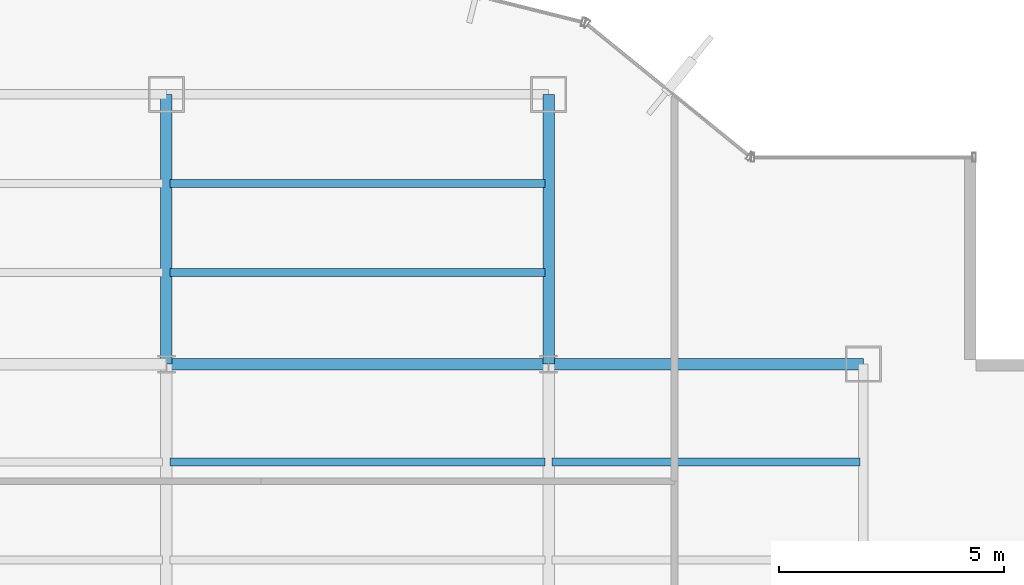
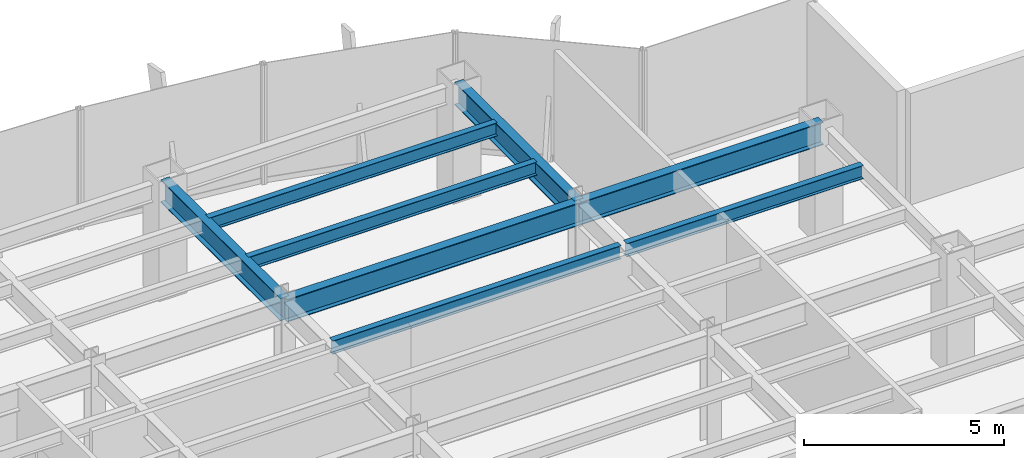
# One storey, part 17 of 26: 8 beams.
"""IFC4 building model written with IfcOpenShell, lengths in metres."""

from ifc_helpers import new_model, si_unit, derived_unit, direction, frame, origin, origin_2d, place, context, subcontext, project, spatial, i_section, extrude, source, transform, mapped, material, material_profile, profile_set, type_object, element, save


model = new_model("IFC4")

# Units and contexts
model_context = context("Model", 3, precision=1e-05, world=origin(), true_north=direction((0.0, 1.0)))
body_context = subcontext(model_context, "Body", "Model", "MODEL_VIEW")
ifc_project = project(units=[si_unit("LENGTHUNIT", "METRE"), si_unit("AREAUNIT", "SQUARE_METRE"), si_unit("VOLUMEUNIT", "CUBIC_METRE"), si_unit("PLANEANGLEUNIT", "RADIAN"), si_unit("MASSUNIT", "GRAM", prefix="KILO"), derived_unit("THERMALTRANSMITTANCEUNIT", [(si_unit("POWERUNIT", "WATT"), 1), (si_unit("LENGTHUNIT", "METRE"), -2), (si_unit("THERMODYNAMICTEMPERATUREUNIT", "KELVIN"), -1)])], contexts=[model_context])

# Site, building, storey
site_placement = place(None, origin())
site = spatial("IfcSite", under=ifc_project, at=site_placement, CompositionType="ELEMENT")
building_placement = place(site_placement, origin())
building = spatial("IfcBuilding", under=site, at=building_placement, Name="Skarnbrae Concourse Arena and Tower", CompositionType="ELEMENT")
storey_placement = place(building_placement, frame((0.0, 0.0, 95.949951171875)))
storey = spatial("IfcBuildingStorey", under=building, at=storey_placement, Name="L23", CompositionType="ELEMENT", Elevation=95.949951171875)

# Beams
ifc_material = material(Name="Steel CSA G40.21 350W", Category="steel")
ifc_material_profile_1 = material_profile(ifc_material, i_section(OverallWidth=0.256103515625, OverallDepth=0.693115234375, WebThickness=0.014404296875, FlangeThickness=0.023681640625, at=origin_2d()), Name="W690X170")
ifc_profile_set_1 = profile_set([ifc_material_profile_1], Name="Steel CSA G40.21 350W")
beam_type_1 = type_object("IfcBeamType", Name="BM-GIRD-W690X170", PredefinedType="BEAM", material=ifc_profile_set_1)
shared_shape_1 = source(origin(), body_context, "Body", "SweptSolid", [
    extrude(i_section(OverallWidth=0.256103515625, OverallDepth=0.693115234375, WebThickness=0.014404296875, FlangeThickness=0.023681640625, at=origin_2d()), origin(), (0.0, 0.0, 1.0), 7.0),
])
beam_1_placement = place(storey_placement, frame((42.0, 34.39990234375, 3.053466796875), z_axis=(1.0, 0.0, 0.0), x_axis=(0.0, 1.0, 0.0)))
element("IfcBeam", 1, at=beam_1_placement, inside=storey, type_object=beam_type_1, Name="L23 Primary E-W girder Y34.4-6", PredefinedType="BEAM", context=body_context, shape_type="MappedRepresentation", body=[
    mapped(shared_shape_1, transform((0.0, 0.0, 0.0))),
])
shared_shape_2 = source(origin(), body_context, "Body", "SweptSolid", [
    extrude(i_section(OverallWidth=0.256103515625, OverallDepth=0.693115234375, WebThickness=0.014404296875, FlangeThickness=0.023681640625, at=origin_2d()), origin(), (0.0, 0.0, 1.0), 8.5),
])
beam_2_placement = place(storey_placement, frame((33.5, 34.39990234375, 3.053466796875), z_axis=(1.0, 0.0, 0.0), x_axis=(0.0, 1.0, 0.0)))
element("IfcBeam", 2, at=beam_2_placement, inside=storey, type_object=beam_type_1, Name="L23 Primary E-W girder Y34.4-5", PredefinedType="BEAM", context=body_context, shape_type="MappedRepresentation", body=[
    mapped(shared_shape_2, transform((0.0, 0.0, 0.0))),
])
shared_shape_3 = source(origin(), body_context, "Body", "SweptSolid", [
    extrude(i_section(OverallWidth=0.256103515625, OverallDepth=0.693115234375, WebThickness=0.014404296875, FlangeThickness=0.023681640625, at=origin_2d()), origin(), (0.0, 0.0, 1.0), 6.0),
])
for number, where, z_axis, x_axis, name in (
    (3, (33.5, 34.39990234375, 3.053466796875), (0.0, 1.0, 0.0), (-1.0, 0.0, 0.0), "L23 Primary N-S girder X33.5-4"),
    (4, (42.0, 34.39990234375, 3.053466796875), (0.0, 1.0, 0.0), (-1.0, 0.0, 0.0), "L23 Primary N-S girder X42.0-5"),
):
    element("IfcBeam", number, at=place(storey_placement, frame(where, z_axis=z_axis, x_axis=x_axis)), inside=storey, type_object=beam_type_1, Name=name, PredefinedType="BEAM", context=body_context, shape_type="MappedRepresentation", body=[
        mapped(shared_shape_3, transform((0.0, 0.0, 0.0))),
    ])
ifc_material_profile_2 = material_profile(ifc_material, i_section(OverallWidth=0.177978515625, OverallDepth=0.406982421875, WebThickness=0.0078125, FlangeThickness=0.0126953125, at=origin_2d()), Name="W410X60")
ifc_profile_set_2 = profile_set([ifc_material_profile_2], Name="Steel CSA G40.21 350W")
beam_type_2 = type_object("IfcBeamType", Name="BM-JOIST-W410X60", PredefinedType="JOIST", material=ifc_profile_set_2)
shared_shape_4 = source(origin(), body_context, "Body", "SweptSolid", [
    extrude(i_section(OverallWidth=0.177978515625, OverallDepth=0.406982421875, WebThickness=0.0078125, FlangeThickness=0.0126953125, at=origin_2d()), origin(), (0.0, 0.0, 1.0), 8.33984375),
])
for number, where, z_axis, x_axis, name in (
    (5, (33.580078125, 32.221923828125, 3.196533203125), (1.0, 0.0, 0.0), (0.0, 1.0, 0.0), "L23 Secondary floor joist 3.2.5"),
    (6, (33.580078125, 36.43994140625, 3.196533203125), (1.0, 0.0, 0.0), (0.0, 1.0, 0.0), "L23 Secondary floor joist 4.1.4"),
    (7, (33.580078125, 38.419921875, 3.196533203125), (1.0, 0.0, 0.0), (0.0, 1.0, 0.0), "L23 Secondary floor joist 4.2.4"),
):
    element("IfcBeam", number, at=place(storey_placement, frame(where, z_axis=z_axis, x_axis=x_axis)), inside=storey, type_object=beam_type_2, Name=name, PredefinedType="JOIST", context=body_context, shape_type="MappedRepresentation", body=[
        mapped(shared_shape_4, transform((0.0, 0.0, 0.0))),
    ])
shared_shape_5 = source(origin(), body_context, "Body", "SweptSolid", [
    extrude(i_section(OverallWidth=0.177978515625, OverallDepth=0.406982421875, WebThickness=0.0078125, FlangeThickness=0.0126953125, at=origin_2d()), origin(), (0.0, 0.0, 1.0), 6.83984375),
])
beam_3_placement = place(storey_placement, frame((42.080078125, 32.221923828125, 3.196533203125), z_axis=(1.0, 0.0, 0.0), x_axis=(0.0, 1.0, 0.0)))
element("IfcBeam", 8, at=beam_3_placement, inside=storey, type_object=beam_type_2, Name="L23 Secondary floor joist 3.2.6", PredefinedType="JOIST", context=body_context, shape_type="MappedRepresentation", body=[
    mapped(shared_shape_5, transform((0.0, 0.0, 0.0))),
])

save(model, "model.ifc")
